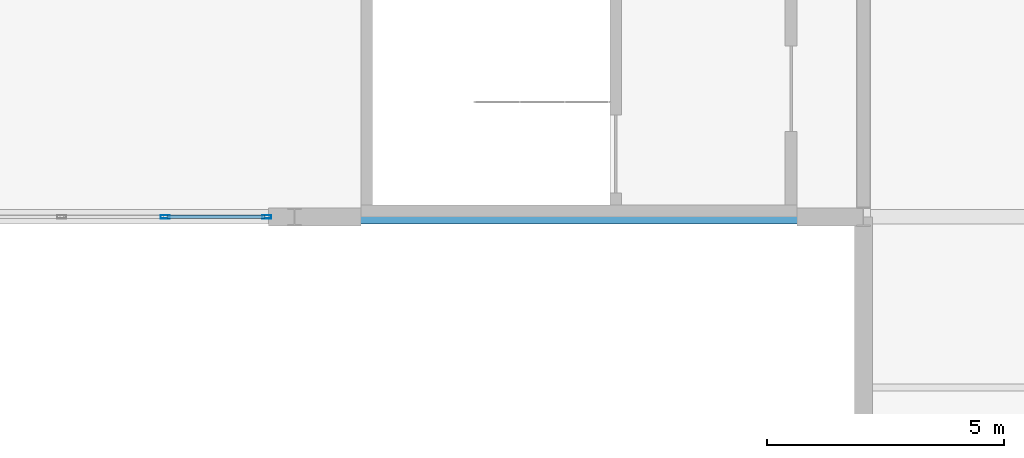
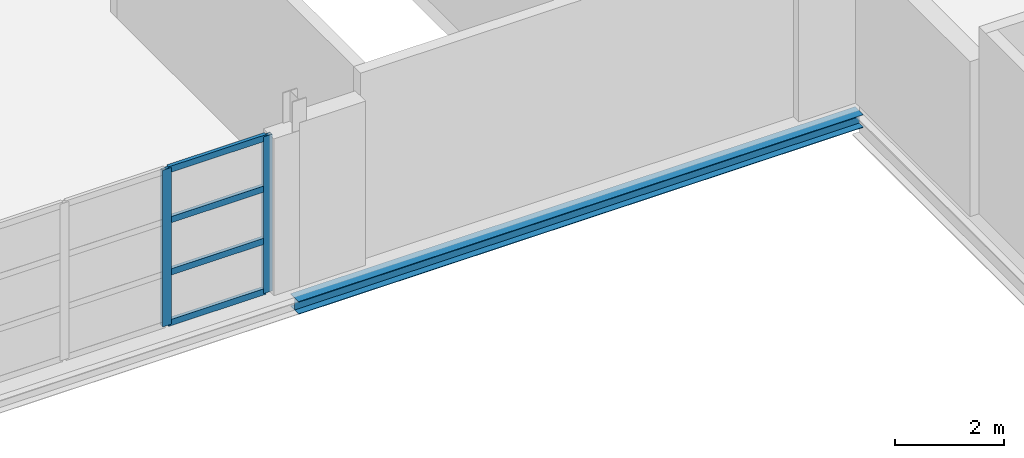
# One storey, part 36 of 147: 6 members, 1 beam, 1 element without a shape of its own.
"""IFC4 building model written with IfcOpenShell, lengths in metres."""

from ifc_helpers import new_model, si_unit, direction, frame, origin, origin_2d, place, context, subcontext, project, spatial, hollow_rectangle, i_section, extrude, material, layer, layer_set, material_profile, profile_set, type_object, element, aggregate, save


model = new_model("IFC4")

# Units and contexts
model_context = context("Model", 3, precision=1e-05, world=origin(), true_north=direction((0.0, 1.0)))
body_context = subcontext(model_context, "Body", "Model", "MODEL_VIEW")
ifc_project = project(units=[si_unit("LENGTHUNIT", "METRE"), si_unit("AREAUNIT", "SQUARE_METRE"), si_unit("VOLUMEUNIT", "CUBIC_METRE"), si_unit("PLANEANGLEUNIT", "RADIAN"), si_unit("MASSUNIT", "GRAM", prefix="KILO")], contexts=[model_context])

# Site, building, storey
site_placement = place(None, origin())
site = spatial("IfcSite", under=ifc_project, at=site_placement, CompositionType="ELEMENT")
building_placement = place(site_placement, origin())
building = spatial("IfcBuilding", under=site, at=building_placement, Name="Zilviju Railside Exhibition Hall", CompositionType="ELEMENT")
storey_placement = place(building_placement, frame((0.0, 0.0, 8.39990234375)))
storey = spatial("IfcBuildingStorey", under=building, at=storey_placement, Name="L03", CompositionType="ELEMENT", Elevation=8.39990234375)

# Beam
ifc_material_1 = material(Name="Steel S355J2", Category="steel")
ifc_material_profile_1 = material_profile(ifc_material_1, i_section(OverallWidth=0.300048828125, OverallDepth=0.2900390625, WebThickness=0.008544921875, FlangeThickness=0.013916015625, at=origin_2d()), Name="HEA 300")
ifc_profile_set_1 = profile_set([ifc_material_profile_1], Name="Steel S355J2")
beam_type = type_object("IfcBeamType", Name="BM-HEA300", PredefinedType="SPANDREL", material=ifc_profile_set_1)
beam_placement = place(storey_placement, frame((36.0, 36.0, -0.494873046875), z_axis=(1.0, 0.0, 0.0), x_axis=(0.0, 1.0, 0.0)))
element("IfcBeam", 1, at=beam_placement, inside=storey, type_object=beam_type, Name="Primary Girder L03 Y=36.0 (36.0..48.0)", PredefinedType="SPANDREL", context=body_context, shape_type="SweptSolid", body=[
    extrude(i_section(OverallWidth=0.300048828125, OverallDepth=0.2900390625, WebThickness=0.008544921875, FlangeThickness=0.013916015625, at=origin_2d()), origin(), (0.0, 0.0, 1.0), 12.0),
])

# Curtain wall, members
ifc_material_2 = material(Name="Thermally broken aluminium-steel triple-glazed curtain wall", Category="steel")
ifc_layer = layer(ifc_material_2, 0.179931640625)
ifc_layer_set = layer_set([ifc_layer], Name="Thermally broken aluminium-steel triple-glazed curtain wall")
curtain_wall_type = type_object("IfcCurtainWallType", Name="CW-BAY-01", PredefinedType="USERDEFINED", material=ifc_layer_set)
curtain_wall_placement = place(storey_placement, origin())
curtain_wall = element("IfcCurtainWall", 2, at=curtain_wall_placement, inside=storey, type_object=curtain_wall_type, Name="Congress Forecourt Curtain Wall L03 (24..36)", ObjectType="GLAZED CURTAIN WALL", PredefinedType="USERDEFINED")
ifc_material_3 = material(Name="Thermally broken anodized aluminium mullion", Category="aluminium")
ifc_material_profile_2 = material_profile(ifc_material_3, hollow_rectangle(XDim=0.074951171875, YDim=0.18994140625, WallThickness=0.0048828125, at=origin_2d()), Name="MULLION 190x75x5")
ifc_profile_set_2 = profile_set([ifc_material_profile_2], Name="Thermally broken anodized aluminium mullion")
member_type_1 = type_object("IfcMemberType", Name="CWM-75x190", PredefinedType="MULLION", material=ifc_profile_set_2)
member_1_placement = place(storey_placement, frame((35.41259765625, 36.0, 0.0), z_axis=(0.0, 0.0, 1.0), x_axis=(0.0, -1.0, 0.0)))
member_1 = element("IfcMember", 3, at=member_1_placement, type_object=member_type_1, Name="CW-01 mullion 1", PredefinedType="MULLION", context=body_context, shape_type="SweptSolid", body=[
    extrude(hollow_rectangle(XDim=0.074951171875, YDim=0.18994140625, WallThickness=0.0048828125, at=origin_2d()), origin(), (0.0, 0.0, 1.0), 3.52001953125),
])
member_2_placement = place(storey_placement, frame((33.27001953125, 36.0, 0.0), z_axis=(0.0, 0.0, 1.0), x_axis=(0.0, -1.0, 0.0)))
member_2 = element("IfcMember", 4, at=member_2_placement, type_object=member_type_1, Name="CW-01 mullion 2", PredefinedType="MULLION", context=body_context, shape_type="SweptSolid", body=[
    extrude(hollow_rectangle(XDim=0.074951171875, YDim=0.18994140625, WallThickness=0.0048828125, at=origin_2d()), origin(), (0.0, 0.0, 1.0), 3.52001953125),
])
ifc_material_4 = material(Name="Thermally broken anodized aluminium transom", Category="aluminium")
ifc_material_profile_3 = material_profile(ifc_material_4, hollow_rectangle(XDim=0.074951171875, YDim=0.139892578125, WallThickness=0.0048828125, at=origin_2d()), Name="TRANSOM 140x75x5")
ifc_profile_set_3 = profile_set([ifc_material_profile_3], Name="Thermally broken anodized aluminium transom")
member_type_2 = type_object("IfcMemberType", Name="CWT-75x140", PredefinedType="USERDEFINED", material=ifc_profile_set_3)
member_3_placement = place(storey_placement, frame((35.375, 36.0, 0.03759765625), z_axis=(-1.0, 0.0, 0.0), x_axis=(0.0, -1.0, 0.0)))
member_3 = element("IfcMember", 5, at=member_3_placement, type_object=member_type_2, Name="CW-01 transom 1.1", ObjectType="TRANSOM", PredefinedType="USERDEFINED", context=body_context, shape_type="SweptSolid", body=[
    extrude(hollow_rectangle(XDim=0.074951171875, YDim=0.139892578125, WallThickness=0.0048828125, at=origin_2d()), origin(), (0.0, 0.0, 1.0), 2.0673828125),
])
member_4_placement = place(storey_placement, frame((35.375, 36.0, 1.173095703125), z_axis=(-1.0, 0.0, 0.0), x_axis=(0.0, -1.0, 0.0)))
member_4 = element("IfcMember", 6, at=member_4_placement, type_object=member_type_2, Name="CW-01 transom 1.2", ObjectType="TRANSOM", PredefinedType="USERDEFINED", context=body_context, shape_type="SweptSolid", body=[
    extrude(hollow_rectangle(XDim=0.074951171875, YDim=0.139892578125, WallThickness=0.0048828125, at=origin_2d()), origin(), (0.0, 0.0, 1.0), 2.0673828125),
])
member_5_placement = place(storey_placement, frame((35.375, 36.0, 2.34716796875), z_axis=(-1.0, 0.0, 0.0), x_axis=(0.0, -1.0, 0.0)))
member_5 = element("IfcMember", 7, at=member_5_placement, type_object=member_type_2, Name="CW-01 transom 1.3", ObjectType="TRANSOM", PredefinedType="USERDEFINED", context=body_context, shape_type="SweptSolid", body=[
    extrude(hollow_rectangle(XDim=0.074951171875, YDim=0.139892578125, WallThickness=0.0048828125, at=origin_2d()), origin(), (0.0, 0.0, 1.0), 2.0673828125),
])
member_6_placement = place(storey_placement, frame((35.375, 36.0, 3.482666015625), z_axis=(-1.0, 0.0, 0.0), x_axis=(0.0, -1.0, 0.0)))
member_6 = element("IfcMember", 8, at=member_6_placement, type_object=member_type_2, Name="CW-01 transom 1.4", ObjectType="TRANSOM", PredefinedType="USERDEFINED", context=body_context, shape_type="SweptSolid", body=[
    extrude(hollow_rectangle(XDim=0.074951171875, YDim=0.139892578125, WallThickness=0.0048828125, at=origin_2d()), origin(), (0.0, 0.0, 1.0), 2.0673828125),
])
aggregate(curtain_wall, [member_1, member_2, member_3, member_4, member_5, member_6])

save(model, "model.ifc")
